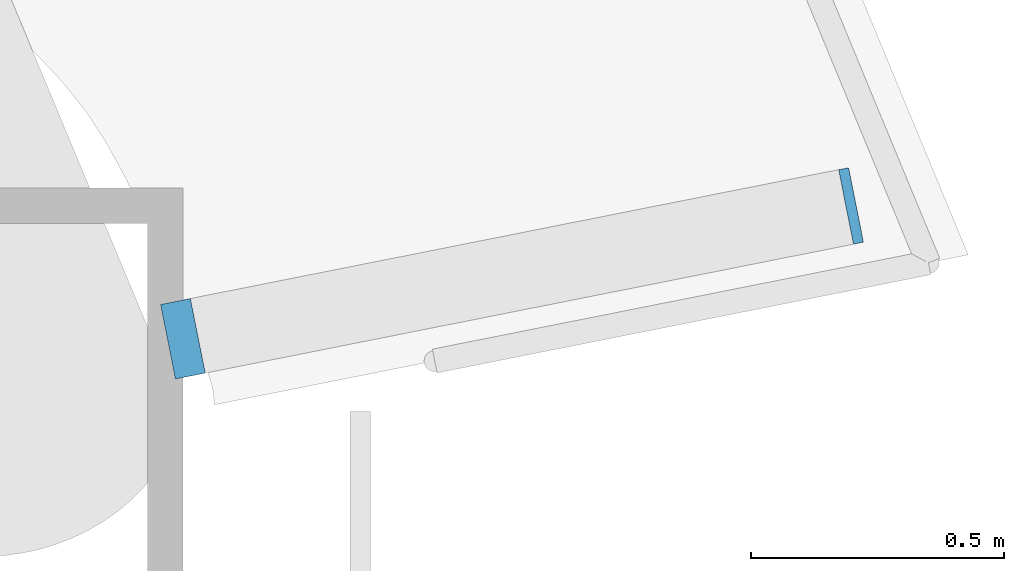
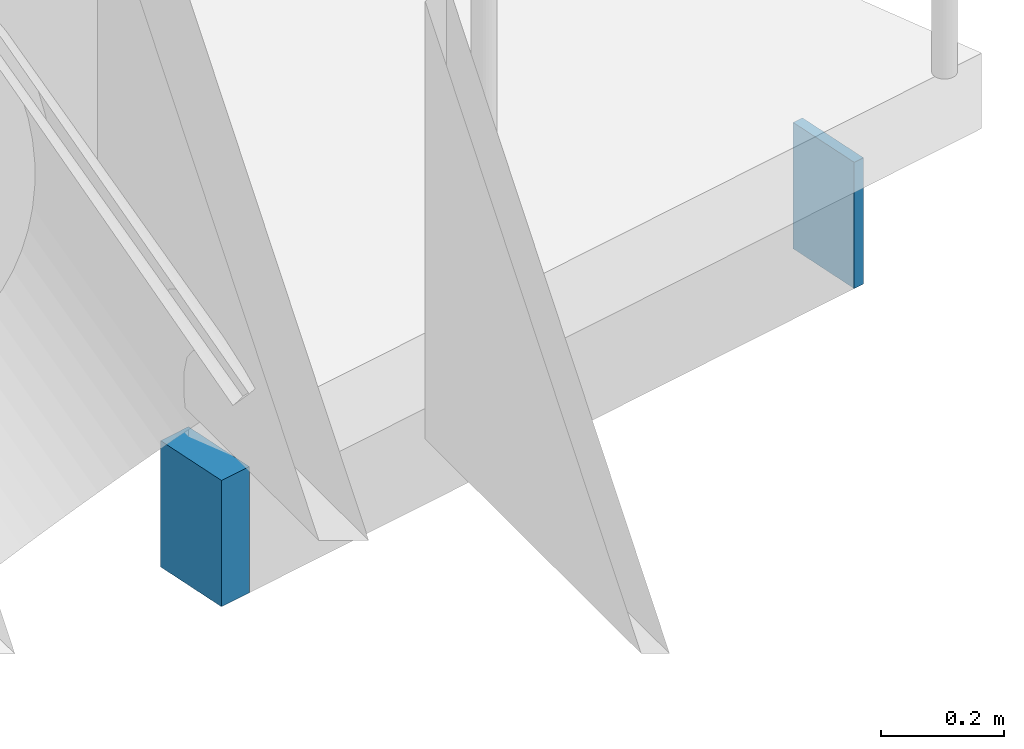
# One storey, part 22 of 30: 2 discrete accessories.
"""IFC4 building model written with IfcOpenShell, lengths in metres."""

from ifc_helpers import new_model, si_unit, direction, frame, origin, origin_2d, place, context, subcontext, project, spatial, rectangle, extrude, material, layer, layer_set, type_object, element, save


model = new_model("IFC4")

# Units and contexts
model_context = context("Model", 3, precision=1e-05, world=origin(), true_north=direction((0.0, 1.0)))
body_context = subcontext(model_context, "Body", "Model", "MODEL_VIEW")
ifc_project = project(units=[si_unit("LENGTHUNIT", "METRE"), si_unit("AREAUNIT", "SQUARE_METRE"), si_unit("VOLUMEUNIT", "CUBIC_METRE"), si_unit("PLANEANGLEUNIT", "RADIAN"), si_unit("MASSUNIT", "GRAM", prefix="KILO")], contexts=[model_context])

# Site, building, storey
site_placement = place(None, origin())
site = spatial("IfcSite", under=ifc_project, at=site_placement, CompositionType="ELEMENT")
building_placement = place(site_placement, origin())
building = spatial("IfcBuilding", under=site, at=building_placement, Name="Siwar Civic Tower", CompositionType="ELEMENT")
storey_placement = place(building_placement, frame((0.0, 0.0, 44.699951171875)))
storey = spatial("IfcBuildingStorey", under=building, at=storey_placement, Name="L09", CompositionType="ELEMENT", Elevation=44.699951171875)

# Discrete accessories
ifc_material_1 = material(Name="Stainless steel 316", Category="steel")
discrete_accessory_type_1 = type_object("IfcDiscreteAccessoryType", Name="ENV-BRACKET", PredefinedType="BRACKET", material=ifc_material_1)
discrete_accessory_1_placement = place(storey_placement, frame((32.050048828125, 22.752197265625, -0.39990234375), z_axis=(0.0, 0.0, 1.0), x_axis=(0.980785280403, 0.195090322016, 0.0)))
element("IfcDiscreteAccessory", 1, at=discrete_accessory_1_placement, inside=storey, type_object=discrete_accessory_type_1, Name="Bracket balcony cantilever beam NE 1", PredefinedType="BRACKET", context=body_context, shape_type="SweptSolid", body=[
    extrude(rectangle(XDim=0.06005859375, YDim=0.14990234375, at=origin_2d()), origin(), (0.0, 0.0, 1.0), 0.25),
])
ifc_material_2 = material(Name="Steel S355", Category="steel")
ifc_layer = layer(ifc_material_2, 0.02001953125)
ifc_layer_set = layer_set([ifc_layer], Name="Steel S355")
discrete_accessory_type_2 = type_object("IfcDiscreteAccessoryType", Name="STR-END-CAP", PredefinedType="USERDEFINED", material=ifc_layer_set)
discrete_accessory_2_placement = place(storey_placement, frame((33.36865234375, 23.014404296875, -0.39990234375), z_axis=(0.0, 0.0, 1.0), x_axis=(0.980785280277, 0.195090322649, 0.0)))
element("IfcDiscreteAccessory", 2, at=discrete_accessory_2_placement, inside=storey, type_object=discrete_accessory_type_2, Name="End cap plate Balcony cantilever beam NE 1", ObjectType="END CAP PLATE", PredefinedType="USERDEFINED", context=body_context, shape_type="SweptSolid", body=[
    extrude(rectangle(XDim=0.02001953125, YDim=0.14990234375, at=origin_2d()), origin(), (0.0, 0.0, 1.0), 0.25),
])

save(model, "model.ifc")
